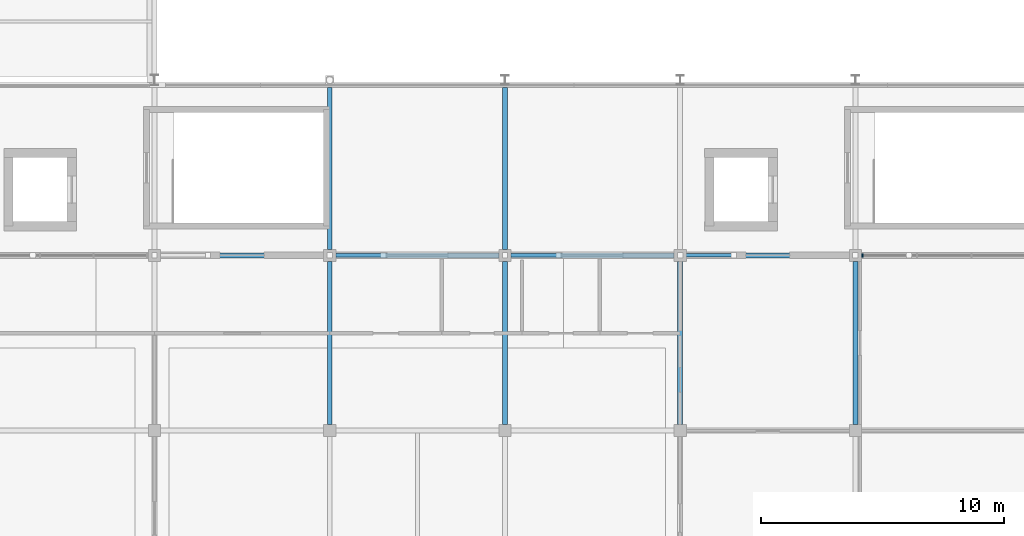
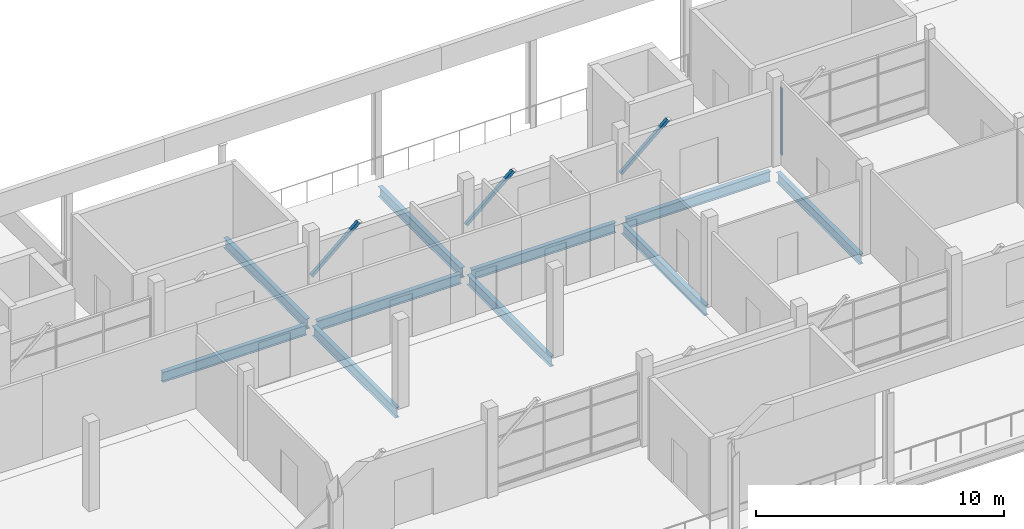
# One storey, part 11 of 32: 10 beams, 4 members, 1 element without a shape of its own.
"""IFC4 building model written with IfcOpenShell, lengths in metres."""

from ifc_helpers import new_model, si_unit, direction, frame, origin, origin_2d, place, context, subcontext, project, spatial, rectangle, hollow_rectangle, i_section, extrude, material, material_profile, profile_set, type_object, element, aggregate, save


model = new_model("IFC4")

# Units and contexts
model_context = context("Model", 3, precision=1e-05, world=origin(), true_north=direction((0.0, 1.0)))
body_context = subcontext(model_context, "Body", "Model", "MODEL_VIEW")
ifc_project = project(units=[si_unit("LENGTHUNIT", "METRE"), si_unit("AREAUNIT", "SQUARE_METRE"), si_unit("VOLUMEUNIT", "CUBIC_METRE"), si_unit("PLANEANGLEUNIT", "RADIAN"), si_unit("MASSUNIT", "GRAM", prefix="KILO")], contexts=[model_context])

# Site, building, storey
site_placement = place(None, origin())
site = spatial("IfcSite", under=ifc_project, at=site_placement, CompositionType="ELEMENT")
building_placement = place(site_placement, origin())
building = spatial("IfcBuilding", under=site, at=building_placement, Name="Sardonyx Promenade Sports Hall", CompositionType="ELEMENT")
storey_placement = place(building_placement, frame((0.0, 0.0, 20.39990234375)))
storey = spatial("IfcBuildingStorey", under=building, at=storey_placement, Name="L04", CompositionType="ELEMENT", Elevation=20.39990234375)

# Beams
ifc_material_1 = material(Name="Steel S355JR", Category="steel")
ifc_material_profile_1 = material_profile(ifc_material_1, i_section(OverallWidth=0.199951171875, OverallDepth=0.5, WebThickness=0.01025390625, FlangeThickness=0.01611328125, at=origin_2d()))
ifc_profile_set_1 = profile_set([ifc_material_profile_1], Name="Steel S355JR")
beam_type = type_object("IfcBeamType", Name="Bm_Primary_IPE500", PredefinedType="BEAM", material=ifc_profile_set_1)
for number, where, z_axis, x_axis, name in (
    (1, (29.050048828125, 21.60009765625, -0.52001953125), (1.0, 0.0, 0.0), (0.0, 1.0, 0.0), "Beam SB06 L04 #985"),
    (2, (36.25, 21.60009765625, -0.52001953125), (1.0, 0.0, 0.0), (0.0, 1.0, 0.0), "Beam SB06 L04 #986"),
    (3, (43.449951171875, 21.60009765625, -0.52001953125), (1.0, 0.0, 0.0), (0.0, 1.0, 0.0), "Beam SB06 L04 #987"),
):
    element("IfcBeam", number, at=place(storey_placement, frame(where, z_axis=z_axis, x_axis=x_axis)), inside=storey, type_object=beam_type, Name=name, PredefinedType="BEAM", context=body_context, shape_type="SweptSolid", body=[
        extrude(i_section(OverallWidth=0.199951171875, OverallDepth=0.5, WebThickness=0.01025390625, FlangeThickness=0.01611328125, at=origin_2d()), origin(), (0.0, 0.0, 1.0), 6.699951171875),
    ])
for number, where, z_axis, x_axis, name in (
    (4, (50.64990234375, 21.60009765625, -0.52001953125), (1.0, 0.0, 0.0), (0.0, 1.0, 0.0), "Beam SB06 L04 #988"),
    (5, (36.0, 14.64990234375, -0.52001953125), (0.0, 1.0, 0.0), (-1.0, 0.0, 0.0), "Beam SB06 L04 #1050"),
):
    element("IfcBeam", number, at=place(storey_placement, frame(where, z_axis=z_axis, x_axis=x_axis)), inside=storey, type_object=beam_type, Name=name, PredefinedType="BEAM", context=body_context, shape_type="SweptSolid", body=[
        extrude(i_section(OverallWidth=0.199951171875, OverallDepth=0.5, WebThickness=0.01025390625, FlangeThickness=0.01611328125, at=origin_2d()), origin(), (0.0, 0.0, 1.0), 6.7001953125),
    ])
beam_1_placement = place(storey_placement, frame((36.0, 21.85009765625, -0.510009765625), z_axis=(0.0, 1.0, 0.0), x_axis=(-1.0, 0.0, 0.0)))
element("IfcBeam", 6, at=beam_1_placement, inside=storey, type_object=beam_type, Name="Beam SB06 L04 #1051", PredefinedType="BEAM", context=body_context, shape_type="SweptSolid", body=[
    extrude(i_section(OverallWidth=0.199951171875, OverallDepth=0.5, WebThickness=0.01025390625, FlangeThickness=0.01611328125, at=origin_2d()), origin(), (0.0, 0.0, 1.0), 6.64990234375),
])
beam_2_placement = place(storey_placement, frame((43.199951171875, 14.64990234375, -0.52001953125), z_axis=(0.0, 1.0, 0.0), x_axis=(-1.0, 0.0, 0.0)))
element("IfcBeam", 7, at=beam_2_placement, inside=storey, type_object=beam_type, Name="Beam SB06 L04 #1054", PredefinedType="BEAM", context=body_context, shape_type="SweptSolid", body=[
    extrude(i_section(OverallWidth=0.199951171875, OverallDepth=0.5, WebThickness=0.01025390625, FlangeThickness=0.01611328125, at=origin_2d()), origin(), (0.0, 0.0, 1.0), 6.7001953125),
])
beam_3_placement = place(storey_placement, frame((43.199951171875, 21.85009765625, -0.510009765625), z_axis=(0.0, 1.0, 0.0), x_axis=(-1.0, 0.0, 0.0)))
element("IfcBeam", 8, at=beam_3_placement, inside=storey, type_object=beam_type, Name="Beam SB06 L04 #1055", PredefinedType="BEAM", context=body_context, shape_type="SweptSolid", body=[
    extrude(i_section(OverallWidth=0.199951171875, OverallDepth=0.5, WebThickness=0.01025390625, FlangeThickness=0.01611328125, at=origin_2d()), origin(), (0.0, 0.0, 1.0), 6.64990234375),
])
for number, where, z_axis, x_axis, name in (
    (9, (50.39990234375, 14.64990234375, -0.52001953125), (0.0, 1.0, 0.0), (-1.0, 0.0, 0.0), "Beam SB06 L04 #1058"),
    (10, (57.60009765625, 14.64990234375, -0.52001953125), (0.0, 1.0, 0.0), (-1.0, 0.0, 0.0), "Beam SB06 L04 #1062"),
):
    element("IfcBeam", number, at=place(storey_placement, frame(where, z_axis=z_axis, x_axis=x_axis)), inside=storey, type_object=beam_type, Name=name, PredefinedType="BEAM", context=body_context, shape_type="SweptSolid", body=[
        extrude(i_section(OverallWidth=0.199951171875, OverallDepth=0.5, WebThickness=0.01025390625, FlangeThickness=0.01611328125, at=origin_2d()), origin(), (0.0, 0.0, 1.0), 6.7001953125),
    ])

# Curtain wall, member
ifc_material_2 = material(Name="Aluminium 6063-T6", Category="aluminium")
curtain_wall_type = type_object("IfcCurtainWallType", Name="CW_Pavilion_L04_640", PredefinedType="USERDEFINED", material=ifc_material_2)
curtain_wall_placement = place(storey_placement, origin())
curtain_wall = element("IfcCurtainWall", 11, at=curtain_wall_placement, inside=storey, type_object=curtain_wall_type, Name="Curtain wall CW10 cw:L04:170", ObjectType="CURTAIN WALL", PredefinedType="USERDEFINED")
ifc_material_3 = material(Name="Aluminium 6063-T6", Category="aluminium")
ifc_material_profile_2 = material_profile(ifc_material_3, rectangle(XDim=0.06005859375, YDim=0.14990234375, at=origin_2d()))
ifc_profile_set_2 = profile_set([ifc_material_profile_2], Name="Aluminium 6063-T6")
member_type_1 = type_object("IfcMemberType", Name="CW_Mull_150", PredefinedType="MULLION", material=ifc_profile_set_2)
member_1_placement = place(storey_placement, frame((57.89990234375, 21.60009765625, 0.300048828125), z_axis=(0.0, 0.0, 1.0), x_axis=(1.0, 0.0, 0.0)))
member_1 = element("IfcMember", 12, at=member_1_placement, type_object=member_type_1, Name="Mullion CM01 cw:L04:170 #1", PredefinedType="MULLION", context=body_context, shape_type="SweptSolid", body=[
    extrude(rectangle(XDim=0.06005859375, YDim=0.14990234375, at=origin_2d()), origin(), (0.0, 0.0, 1.0), 3.300048828125),
])
aggregate(curtain_wall, [member_1])

# Members
ifc_material_4 = material(Name="Steel S355JR", Category="steel")
ifc_material_profile_3 = material_profile(ifc_material_4, hollow_rectangle(XDim=0.14990234375, YDim=0.14990234375, WallThickness=0.008056640625, at=origin_2d()))
ifc_profile_set_3 = profile_set([ifc_material_profile_3], Name="Steel S355JR")
member_type_2 = type_object("IfcMemberType", Name="Mbr_Strut_SHS150", PredefinedType="STRUT", material=ifc_profile_set_3)
for number, where, z_axis, x_axis, name in (
    (13, (36.0, 21.60009765625, 2.0), (0.756790903627, 0.0, 0.653657041718), (0.0, 1.0, 0.0), "Pavilion roof knee-brace strut #21"),
    (14, (43.199951171875, 21.60009765625, 2.0), (0.756790903627, 0.0, 0.653657041718), (0.0, 1.0, 0.0), "Pavilion roof knee-brace strut #23"),
):
    element("IfcMember", number, at=place(storey_placement, frame(where, z_axis=z_axis, x_axis=x_axis)), inside=storey, type_object=member_type_2, Name=name, PredefinedType="STRUT", context=body_context, shape_type="SweptSolid", body=[
        extrude(hollow_rectangle(XDim=0.14990234375, YDim=0.14990234375, WallThickness=0.008056640625, at=origin_2d()), origin(), (0.0, 0.0, 1.0), 2.906982421875),
    ])
member_2_placement = place(storey_placement, frame((50.39990234375, 21.60009765625, 2.0), z_axis=(0.756826784367, 0.0, 0.653615497418), x_axis=(0.0, 1.0, 0.0)))
element("IfcMember", 15, at=member_2_placement, inside=storey, type_object=member_type_2, Name="Pavilion roof knee-brace strut #25", PredefinedType="STRUT", context=body_context, shape_type="SweptSolid", body=[
    extrude(hollow_rectangle(XDim=0.14990234375, YDim=0.14990234375, WallThickness=0.008056640625, at=origin_2d()), origin(), (0.0, 0.0, 1.0), 2.9072265625),
])

save(model, "model.ifc")
